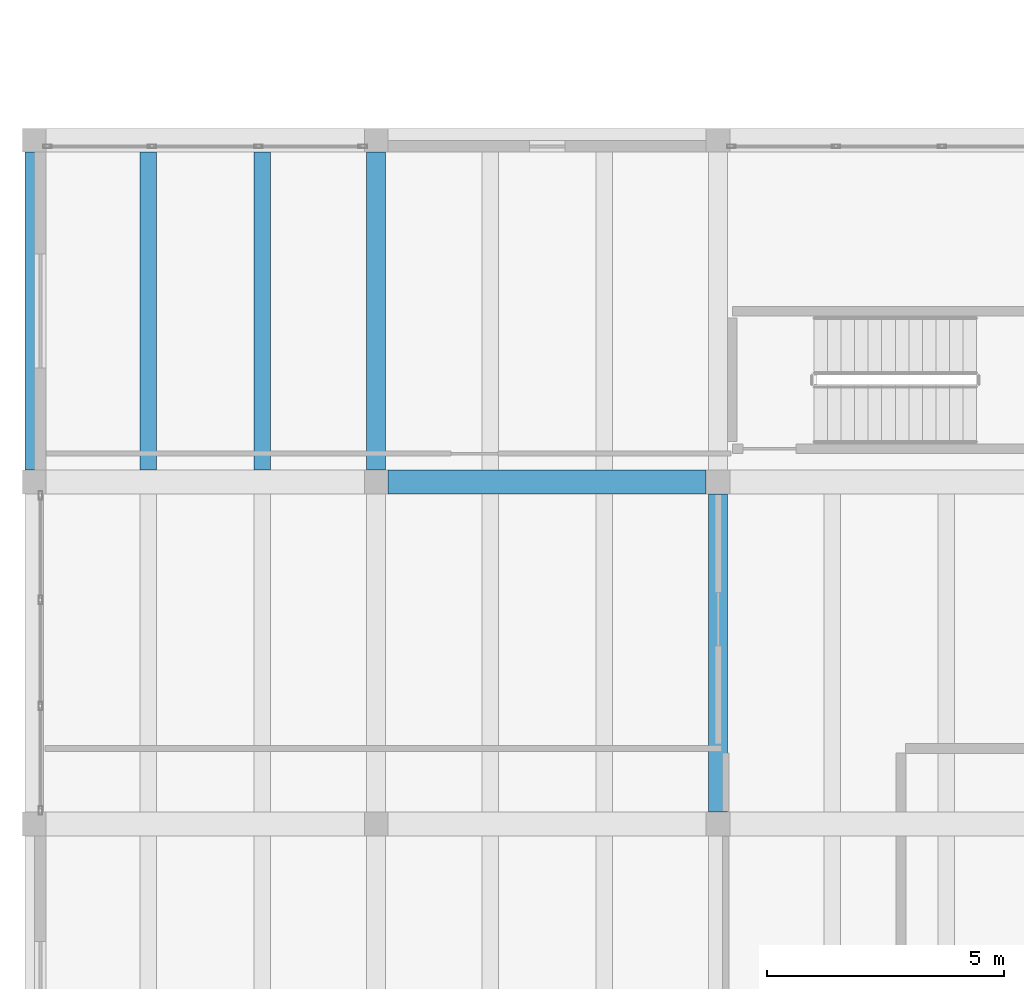
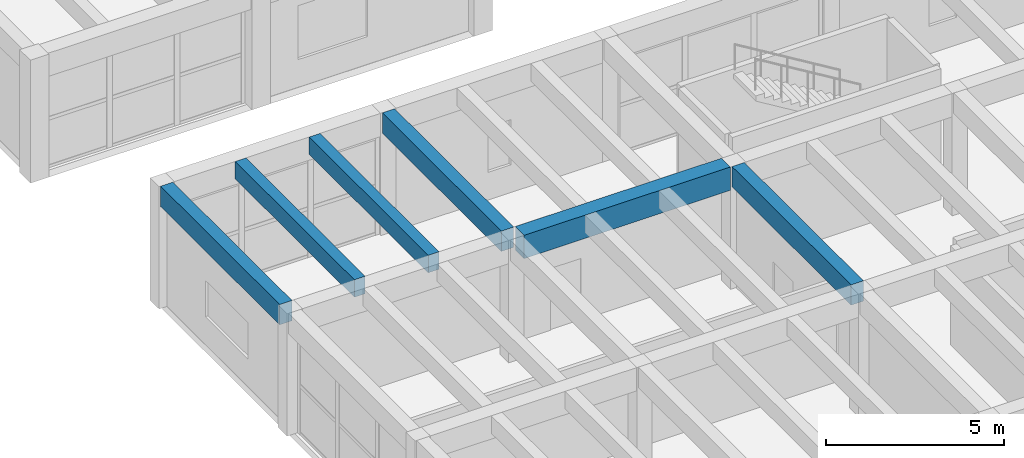
# One storey, part 14 of 153: 6 beams.
"""IFC4 building model written with IfcOpenShell, lengths in metres."""

import ifcopenshell
import ifcopenshell.guid

model = None  # the IFC model being written
_history = None  # IfcOwnerHistory: only IFC2X3 demands one
_inside = {}  # id of a spatial element -> (the spatial element, [elements in it])
_under = {}  # id of a project, library or spatial element -> (it, [spatial elements below it])
_declared = {}  # id of a project -> (the project, [libraries it declares])
_typed = {}  # id of a type object -> (the type object, [elements of that type])
_made_of = {}  # id of a material, layer set ... -> (it, [elements and type objects made of it])


def new_model(schema):
    """Start an empty IFC model of exactly this schema.

    Asked for "IFC4X3", IfcOpenShell would pick the latest addendum, in which some entities
    have other attributes; the version numbers below select the first issue.
    IFC2X3 requires an IfcOwnerHistory on every rooted entity: one is made here for all.
    """
    global model, _history
    if schema == "IFC4X3":
        model = ifcopenshell.file(schema_version=(4, 3, 0, 0))
    else:
        model = ifcopenshell.file(schema=schema)
    _inside.clear()
    _under.clear()
    _declared.clear()
    _typed.clear()
    _made_of.clear()
    _history = None
    if model.schema == "IFC2X3":
        org = make("IfcOrganization", Name="unknown")
        user = make(
            "IfcPersonAndOrganization",
            ThePerson=make("IfcPerson", FamilyName="unknown"),
            TheOrganization=org,
        )
        app = make(
            "IfcApplication",
            ApplicationDeveloper=org,
            Version="unknown",
            ApplicationFullName="unknown",
            ApplicationIdentifier="unknown",
        )
        _history = make(
            "IfcOwnerHistory",
            OwningUser=user,
            OwningApplication=app,
            ChangeAction="ADDED",
            CreationDate=0,
        )
    return model


def make(cls, **values):
    """One entity of the class cls with the attributes given. An attribute that is None is left unset."""
    return model.create_entity(
        cls, **{name: value for name, value in values.items() if value is not None}
    )


def rooted(cls, **values):
    """An entity with a GlobalId (a new one), such as an element, a storey or a relation."""
    return make(cls, GlobalId=ifcopenshell.guid.new(), OwnerHistory=_history, **values)


def si_unit(unit_type, name, prefix=None):
    """IfcSIUnit, for example si_unit("LENGTHUNIT", "METRE", prefix="MILLI")."""
    return make("IfcSIUnit", UnitType=unit_type, Prefix=prefix, Name=name)


def assignment(units):
    """IfcUnitAssignment: the units of a project."""
    return None if units is None else make("IfcUnitAssignment", Units=units)


def point(xyz):
    """IfcCartesianPoint."""
    return None if xyz is None else make("IfcCartesianPoint", Coordinates=xyz)


def direction(xyz):
    """IfcDirection."""
    return None if xyz is None else make("IfcDirection", DirectionRatios=xyz)


def frame(location, z_axis=None, x_axis=None):
    """IfcAxis2Placement3D, a coordinate frame: its origin and axes. An axis left out is left unset."""
    return make(
        "IfcAxis2Placement3D",
        Location=point(location),
        Axis=direction(z_axis),
        RefDirection=direction(x_axis),
    )


def frame_2d(location, x_axis=None):
    """IfcAxis2Placement2D, a coordinate frame in the plane: its origin and x axis."""
    return make(
        "IfcAxis2Placement2D", Location=point(location), RefDirection=direction(x_axis)
    )


def origin():
    """The frame at (0, 0, 0) with its axes left unset."""
    return frame((0.0, 0.0, 0.0))


def origin_2d():
    """The frame at (0, 0) in the plane with its x axis left unset."""
    return frame_2d((0.0, 0.0))


def place(relative_to, where):
    """IfcLocalPlacement: puts the frame where relative to a parent placement (None: the world)."""
    return make(
        "IfcLocalPlacement", PlacementRelTo=relative_to, RelativePlacement=where
    )


def context(
    kind, dimensions, precision=None, world=None, true_north=None, identifier=None
):
    """IfcGeometricRepresentationContext, for example the 3D "Model" context."""
    return make(
        "IfcGeometricRepresentationContext",
        ContextIdentifier=identifier,
        ContextType=kind,
        CoordinateSpaceDimension=dimensions,
        Precision=precision,
        WorldCoordinateSystem=world,
        TrueNorth=true_north,
    )


def subcontext(parent, identifier, kind, view, scale=None):
    """IfcGeometricRepresentationSubContext, for example "Body" below "Model"."""
    return make(
        "IfcGeometricRepresentationSubContext",
        ContextIdentifier=identifier,
        ContextType=kind,
        ParentContext=parent,
        TargetScale=scale,
        TargetView=view,
    )


def project(units=None, contexts=None):
    """IfcProject with its units and contexts."""
    return rooted(
        "IfcProject",
        Name="project",
        RepresentationContexts=contexts,
        UnitsInContext=assignment(units),
    )


def spatial(cls, under=None, at=None, **own):
    """A site, building, storey or space (cls), placed at a placement, below another one or the project."""
    s = rooted(cls, ObjectPlacement=at, **own)
    if under is not None:
        _under.setdefault(under.id(), (under, []))[1].append(s)
    return s


def profile(cls, at=None, kind="AREA", **sizes):
    """A parametric profile (cls). Its sizes go by their IFC names, for example OverallWidth=200.0."""
    return make(cls, ProfileType=kind, Position=at, **sizes)


def rectangle(**sizes):
    """IfcRectangleProfileDef."""
    return profile("IfcRectangleProfileDef", **sizes)


def extrude(swept, where, along, depth):
    """IfcExtrudedAreaSolid: the profile swept, set in the frame where, extruded along a direction by depth."""
    return make(
        "IfcExtrudedAreaSolid",
        SweptArea=swept,
        Position=where,
        ExtrudedDirection=direction(along),
        Depth=depth,
    )


def shape(context_of_items, identifier, shape_type, items):
    """IfcShapeRepresentation: the items that make up one representation, for example the "Body"."""
    return make(
        "IfcShapeRepresentation",
        ContextOfItems=context_of_items,
        RepresentationIdentifier=identifier,
        RepresentationType=shape_type,
        Items=items,
    )


def material(Name=None, Category=None):
    """IfcMaterial."""
    return make("IfcMaterial", Name=Name, Category=Category)


def material_profile(
    of_material, cross_section, Name=None, Category=None, Priority=None
):
    """IfcMaterialProfile: a cross section and its material."""
    return make(
        "IfcMaterialProfile",
        Name=Name,
        Material=of_material,
        Profile=cross_section,
        Priority=Priority,
        Category=Category,
    )


def profile_set(profiles, Name=None, composite=None):
    """IfcMaterialProfileSet."""
    return make(
        "IfcMaterialProfileSet",
        Name=Name,
        MaterialProfiles=profiles,
        CompositeProfile=composite,
    )


def made_of(thing, what):
    """Note that an element or type object is made of a material, layer set ...; save() writes the relation."""
    if what is not None:
        _made_of.setdefault(what.id(), (what, []))[1].append(thing)
    return thing


def type_object(cls, material=None, **own):
    """A type object (cls), such as IfcWallType, which elements share."""
    return made_of(rooted(cls, **own), material)


def element(
    cls,
    number,
    at=None,
    inside=None,
    cuts=None,
    type_object=None,
    material=None,
    context=None,
    identifier="Body",
    shape_type=None,
    held_by="IfcProductDefinitionShape",
    body=None,
    shapes=None,
    **own,
):
    """One element of the class cls, such as IfcWall. Its Tag is "e" and its number.

    at: its placement. inside: the storey or other place that contains it. cuts: it is an
    opening in that element (IfcRelVoidsElement). A single representation is given by context,
    identifier, shape_type and body (its items); several are given by shapes. held_by: the class
    of the entity that holds the representations. save() writes the other relations.
    """
    e = rooted(cls, Tag="e%d" % number, ObjectPlacement=at, **own)
    if body is not None:
        shapes = [shape(context, identifier, shape_type, body)]
    if shapes is not None:
        e.Representation = make(held_by, Representations=shapes)
    if inside is not None:
        _inside.setdefault(inside.id(), (inside, []))[1].append(e)
    if cuts is not None:
        rooted(
            "IfcRelVoidsElement", RelatingBuildingElement=cuts, RelatedOpeningElement=e
        )
    if type_object is not None:
        _typed.setdefault(type_object.id(), (type_object, []))[1].append(e)
    return made_of(e, material)


def aggregate(whole, parts):
    """IfcRelAggregates: a whole, such as a stair, and the parts it consists of."""
    return rooted("IfcRelAggregates", RelatingObject=whole, RelatedObjects=parts)


def save(model, path):
    """Write the relations noted so far, then the file.

    IfcRelAggregates (storeys below a building ...), IfcRelContainedInSpatialStructure (elements
    in a storey), IfcRelDefinesByType, IfcRelAssociatesMaterial and IfcRelDeclares: one each for
    every whole, place, type object, material and project.
    """
    for whole, parts in _under.values():
        aggregate(whole, parts)
    for where, things in _inside.values():
        rooted(
            "IfcRelContainedInSpatialStructure",
            RelatedElements=things,
            RelatingStructure=where,
        )
    for kind, things in _typed.values():
        rooted("IfcRelDefinesByType", RelatedObjects=things, RelatingType=kind)
    for what, things in _made_of.values():
        rooted("IfcRelAssociatesMaterial", RelatedObjects=things, RelatingMaterial=what)
    for by, libraries in _declared.values():
        rooted("IfcRelDeclares", RelatingContext=by, RelatedDefinitions=libraries)
    model.write(path)


model = new_model("IFC4")

# Units and contexts
model_context = context("Model", 3, precision=1e-05, world=origin(), true_north=direction((0.0, 1.0)))
body_context = subcontext(model_context, "Body", "Model", "MODEL_VIEW")
ifc_project = project(units=[si_unit("LENGTHUNIT", "METRE"), si_unit("AREAUNIT", "SQUARE_METRE"), si_unit("VOLUMEUNIT", "CUBIC_METRE"), si_unit("PLANEANGLEUNIT", "RADIAN"), si_unit("MASSUNIT", "GRAM", prefix="KILO")], contexts=[model_context])

# Site, building, storey
site_placement = place(None, origin())
site = spatial("IfcSite", under=ifc_project, at=site_placement, CompositionType="ELEMENT")
building_placement = place(site_placement, origin())
building = spatial("IfcBuilding", under=site, at=building_placement, Name="Bramvelor Terrace Health Centre", CompositionType="ELEMENT")
storey_placement = place(building_placement, frame((0.0, 0.0, 4.800048828125)))
storey = spatial("IfcBuildingStorey", under=building, at=storey_placement, Name="L02", CompositionType="ELEMENT", Elevation=4.800048828125)

# Beams
ifc_material_1 = material(Name="Concrete C40/50", Category="concrete")
ifc_material_profile_1 = material_profile(ifc_material_1, rectangle(XDim=0.39990234375, YDim=0.699951171875, at=origin_2d()), Name="RC 400x700")
ifc_profile_set_1 = profile_set([ifc_material_profile_1], Name="Concrete C40/50")
beam_type_1 = type_object("IfcBeamType", Name="BM-RC-G700", PredefinedType="BEAM", material=ifc_profile_set_1)
beam_1_placement = place(storey_placement, frame((7.199951171875, 57.85009765625, 3.849853515625), z_axis=(0.0, 1.0, 0.0), x_axis=(-1.0, 0.0, 0.0)))
element("IfcBeam", 1, at=beam_1_placement, inside=storey, type_object=beam_type_1, Name="L02 Floor Girder", PredefinedType="BEAM", context=body_context, shape_type="SweptSolid", body=[
    extrude(rectangle(XDim=0.39990234375, YDim=0.699951171875, at=origin_2d()), origin(), (0.0, 0.0, 1.0), 6.699951171875),
])
beam_2_placement = place(storey_placement, frame((14.39990234375, 50.64990234375, 3.849853515625), z_axis=(0.0, 1.0, 0.0), x_axis=(-1.0, 0.0, 0.0)))
element("IfcBeam", 2, at=beam_2_placement, inside=storey, type_object=beam_type_1, Name="L02 Floor Girder", PredefinedType="BEAM", context=body_context, shape_type="SweptSolid", body=[
    extrude(rectangle(XDim=0.39990234375, YDim=0.699951171875, at=origin_2d()), origin(), (0.0, 0.0, 1.0), 6.7001953125),
])
ifc_material_2 = material(Name="Concrete C40/50", Category="concrete")
ifc_material_profile_2 = material_profile(ifc_material_2, rectangle(XDim=0.5, YDim=0.800048828125, at=origin_2d()), Name="RC 500x800")
ifc_profile_set_2 = profile_set([ifc_material_profile_2], Name="Concrete C40/50")
beam_type_2 = type_object("IfcBeamType", Name="BM-RC-G800", PredefinedType="BEAM", material=ifc_profile_set_2)
beam_3_placement = place(storey_placement, frame((7.449951171875, 57.60009765625, 3.800048828125), z_axis=(1.0, 0.0, 0.0), x_axis=(0.0, 1.0, 0.0)))
element("IfcBeam", 3, at=beam_3_placement, inside=storey, type_object=beam_type_2, Name="L02 Floor Girder", PredefinedType="BEAM", context=body_context, shape_type="SweptSolid", body=[
    extrude(rectangle(XDim=0.5, YDim=0.800048828125, at=origin_2d()), origin(), (0.0, 0.0, 1.0), 6.699951171875),
])
ifc_material_3 = material(Name="Concrete C40/50", Category="concrete")
ifc_material_profile_3 = material_profile(ifc_material_3, rectangle(XDim=0.35009765625, YDim=0.60009765625, at=origin_2d()), Name="RC 350x600")
ifc_profile_set_3 = profile_set([ifc_material_profile_3], Name="Concrete C40/50")
beam_type_3 = type_object("IfcBeamType", Name="BM-RC-J600", PredefinedType="JOIST", material=ifc_profile_set_3)
for number, where, z_axis, x_axis, name in (
    (4, (2.39990234375, 57.85009765625, 3.89990234375), (0.0, 1.0, 0.0), (-1.0, 0.0, 0.0), "L02 Secondary Floor Joist"),
    (5, (4.800048828125, 57.85009765625, 3.89990234375), (0.0, 1.0, 0.0), (-1.0, 0.0, 0.0), "L02 Secondary Floor Joist"),
):
    element("IfcBeam", number, at=place(storey_placement, frame(where, z_axis=z_axis, x_axis=x_axis)), inside=storey, type_object=beam_type_3, Name=name, PredefinedType="JOIST", context=body_context, shape_type="SweptSolid", body=[
        extrude(rectangle(XDim=0.35009765625, YDim=0.60009765625, at=origin_2d()), origin(), (0.0, 0.0, 1.0), 6.699951171875),
    ])
ifc_material_4 = material(Name="Concrete C40/50", Category="concrete")
ifc_material_profile_4 = material_profile(ifc_material_4, rectangle(XDim=0.39990234375, YDim=0.699951171875, at=origin_2d()), Name="RC 400x700")
ifc_profile_set_4 = profile_set([ifc_material_profile_4], Name="Concrete C40/50")
beam_type_4 = type_object("IfcBeamType", Name="BM-RC-SP700-EXT", PredefinedType="SPANDREL", material=ifc_profile_set_4)
beam_4_placement = place(storey_placement, frame((0.0, 57.85009765625, 3.849853515625), z_axis=(0.0, 1.0, 0.0), x_axis=(-1.0, 0.0, 0.0)))
element("IfcBeam", 6, at=beam_4_placement, inside=storey, type_object=beam_type_4, Name="L02 Floor Girder", PredefinedType="SPANDREL", context=body_context, shape_type="SweptSolid", body=[
    extrude(rectangle(XDim=0.39990234375, YDim=0.699951171875, at=origin_2d()), origin(), (0.0, 0.0, 1.0), 6.699951171875),
])

save(model, "model.ifc")
